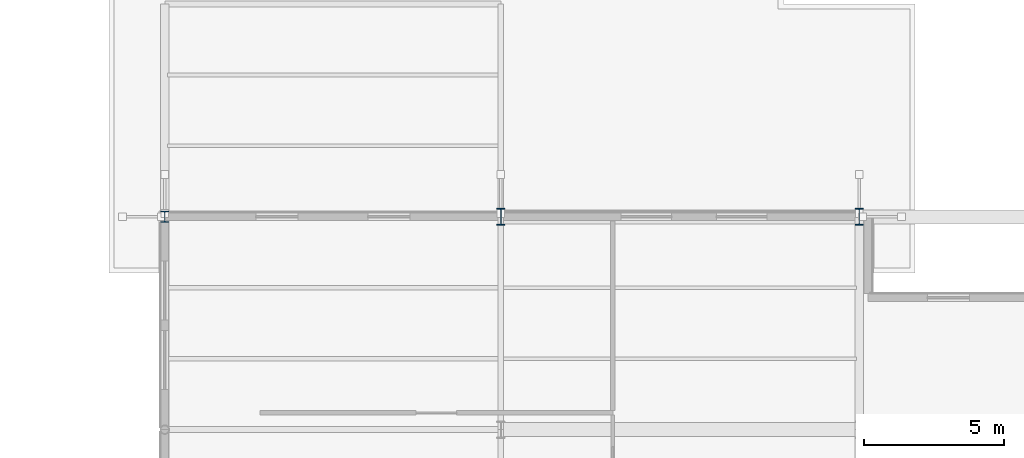
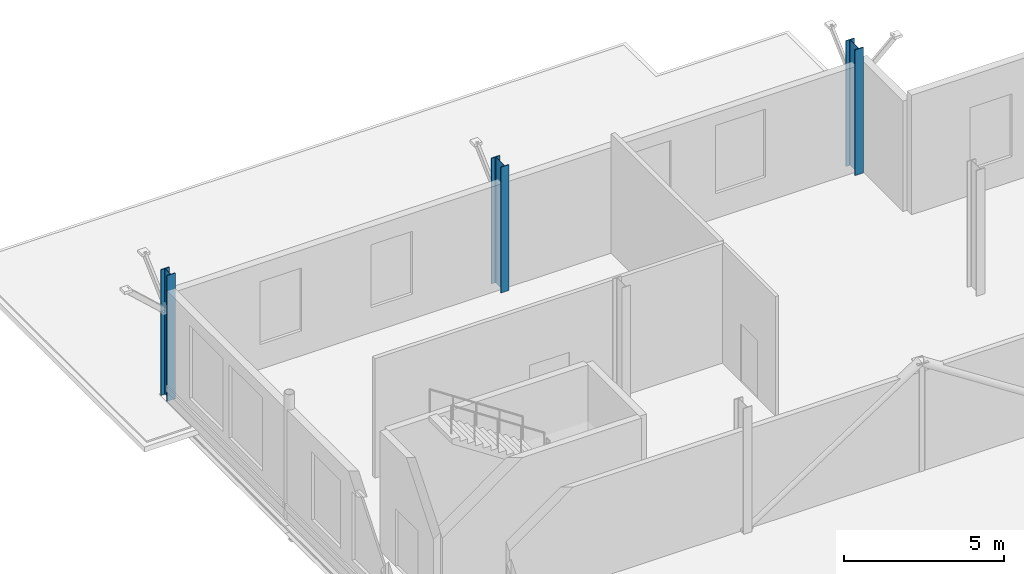
# One storey, part 17 of 120: 3 columns.
"""IFC4 building model written with IfcOpenShell, lengths in metres."""

from ifc_helpers import new_model, si_unit, direction, frame, origin, origin_2d, place, context, subcontext, project, spatial, i_section, extrude, material, material_profile, profile_set, type_object, element, save


model = new_model("IFC4")

# Units and contexts
model_context = context("Model", 3, precision=1e-05, world=origin(), true_north=direction((0.0, 1.0)))
body_context = subcontext(model_context, "Body", "Model", "MODEL_VIEW")
ifc_project = project(units=[si_unit("LENGTHUNIT", "METRE"), si_unit("AREAUNIT", "SQUARE_METRE"), si_unit("VOLUMEUNIT", "CUBIC_METRE"), si_unit("PLANEANGLEUNIT", "RADIAN"), si_unit("MASSUNIT", "GRAM", prefix="KILO")], contexts=[model_context])

# Site, building, storey
site_placement = place(None, origin())
site = spatial("IfcSite", under=ifc_project, at=site_placement, CompositionType="ELEMENT")
building_placement = place(site_placement, origin())
building = spatial("IfcBuilding", under=site, at=building_placement, Name="Vekula Escarpment Museum", CompositionType="ELEMENT")
storey_placement = place(building_placement, frame((0.0, 0.0, 13.199951171875)))
storey = spatial("IfcBuildingStorey", under=building, at=storey_placement, Name="L03", CompositionType="ELEMENT", Elevation=13.199951171875)

# Columns
ifc_material_1 = material(Name="Steel S355", Category="steel")
ifc_material_profile_1 = material_profile(ifc_material_1, i_section(OverallWidth=0.300048828125, OverallDepth=0.39990234375, WebThickness=0.013427734375, FlangeThickness=0.02392578125, FilletRadius=0.027099609375, at=origin_2d()), Name="HEB 400")
ifc_profile_set_1 = profile_set([ifc_material_profile_1], Name="Steel S355")
column_type_1 = type_object("IfcColumnType", Name="COL-S-HEB400", PredefinedType="COLUMN", material=ifc_profile_set_1)
column_placement = place(storey_placement, frame((167.0, 128.39990234375, 0.0), z_axis=(0.0, 0.0, 1.0), x_axis=(1.0, 0.0, 0.0)))
element("IfcColumn", 1, at=column_placement, inside=storey, type_object=column_type_1, Name="Column L03 (167.0,128.4)", PredefinedType="COLUMN", context=body_context, shape_type="SweptSolid", body=[
    extrude(i_section(OverallWidth=0.300048828125, OverallDepth=0.39990234375, WebThickness=0.013427734375, FlangeThickness=0.02392578125, FilletRadius=0.027099609375, at=origin_2d()), origin(), (0.0, 0.0, 1.0), 4.800048828125),
])
ifc_material_2 = material(Name="Steel S355", Category="steel")
ifc_material_profile_2 = material_profile(ifc_material_2, i_section(OverallWidth=0.300048828125, OverallDepth=0.60009765625, WebThickness=0.015380859375, FlangeThickness=0.030029296875, FilletRadius=0.027099609375, at=origin_2d()), Name="HEB 600")
ifc_profile_set_2 = profile_set([ifc_material_profile_2], Name="Steel S355")
column_type_2 = type_object("IfcColumnType", Name="COL-S-HEB600", PredefinedType="COLUMN", material=ifc_profile_set_2)
for number, where, z_axis, x_axis, name in (
    (2, (179.0, 128.39990234375, 0.0), (0.0, 0.0, 1.0), (1.0, 0.0, 0.0), "Column L03 (179.0,128.4)"),
    (3, (191.800048828125, 128.39990234375, 0.0), (0.0, 0.0, 1.0), (1.0, 0.0, 0.0), "Column L03 (191.8,128.4)"),
):
    element("IfcColumn", number, at=place(storey_placement, frame(where, z_axis=z_axis, x_axis=x_axis)), inside=storey, type_object=column_type_2, Name=name, PredefinedType="COLUMN", context=body_context, shape_type="SweptSolid", body=[
        extrude(i_section(OverallWidth=0.300048828125, OverallDepth=0.60009765625, WebThickness=0.015380859375, FlangeThickness=0.030029296875, FilletRadius=0.027099609375, at=origin_2d()), origin(), (0.0, 0.0, 1.0), 4.800048828125),
    ])

save(model, "model.ifc")
